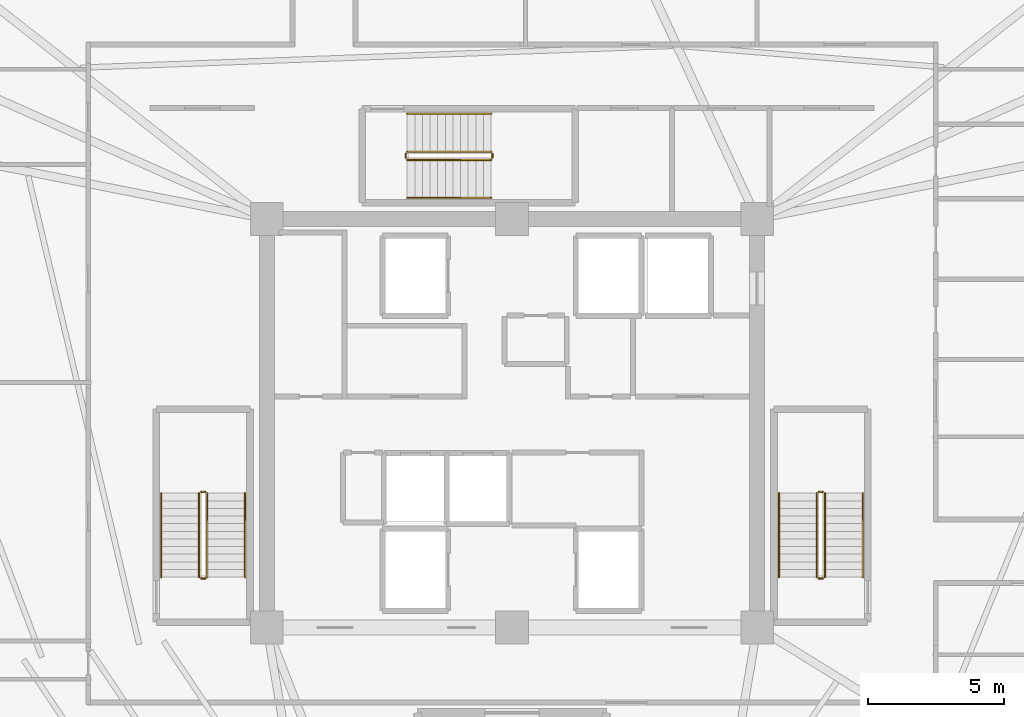
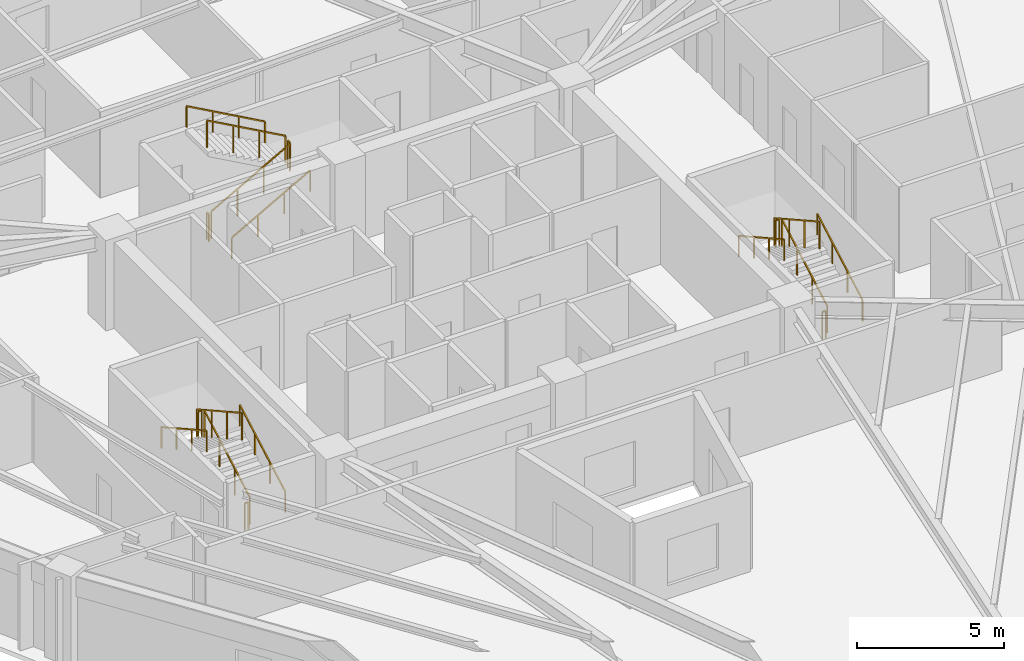
# One storey, part 8 of 8: 18 railings.
"""IFC4 building model written with IfcOpenShell, lengths in metres."""

from ifc_helpers import new_model, si_unit, direction, frame, origin, origin_2d, place, context, subcontext, project, spatial, rectangle, extrude, material, type_object, element, save


model = new_model("IFC4")

# Units and contexts
model_context = context("Model", 3, precision=1e-05, world=origin(), true_north=direction((0.0, 1.0)))
body_context = subcontext(model_context, "Body", "Model", "MODEL_VIEW")
ifc_project = project(units=[si_unit("LENGTHUNIT", "METRE"), si_unit("AREAUNIT", "SQUARE_METRE"), si_unit("VOLUMEUNIT", "CUBIC_METRE"), si_unit("PLANEANGLEUNIT", "RADIAN"), si_unit("MASSUNIT", "GRAM", prefix="KILO")], contexts=[model_context])

# Site, building, storey
site_placement = place(None, origin())
site = spatial("IfcSite", under=ifc_project, at=site_placement, CompositionType="ELEMENT")
building_placement = place(site_placement, origin())
building = spatial("IfcBuilding", under=site, at=building_placement, Name="Liaohun Quay Tower", CompositionType="ELEMENT")
storey_placement = place(building_placement, frame((0.0, 0.0, 305.25)))
storey = spatial("IfcBuildingStorey", under=building, at=storey_placement, Name="L79", CompositionType="ELEMENT", Elevation=305.25)

# Railings
ifc_material_1 = material(Name="Painted tubular steel", Category="steel")
railing_type_1 = type_object("IfcRailingType", Name="RLG-GUARD-STR", PredefinedType="GUARDRAIL", material=ifc_material_1)
railing_1_placement = place(storey_placement, frame((48.81005859375, 48.35009765625, 0.15625)))
element("IfcRailing", 1, at=railing_1_placement, inside=storey, type_object=railing_type_1, Name="L79 ST-1 stair guard 1", PredefinedType="GUARDRAIL", context=body_context, shape_type="SweptSolid", body=[
    extrude(rectangle(XDim=0.048095703125, YDim=0.048095703125, at=origin_2d()), frame((0.0, 0.0, 1.1259765625), z_axis=(0.0, 0.873225103656, 0.487317061414), x_axis=(-1.0, 0.0, 0.0)), (0.0, 0.0, 1.0), 3.52685546875),
    extrude(rectangle(XDim=0.0419921875, YDim=0.0419921875, at=origin_2d()), origin(), (0.0, 0.0, 1.0), 1.101806640625),
    extrude(rectangle(XDim=0.0419921875, YDim=0.0419921875, at=origin_2d()), frame((0.0, 1.026611328125, 0.572998046875)), (0.0, 0.0, 1.0), 1.101806640625),
    extrude(rectangle(XDim=0.0419921875, YDim=0.0419921875, at=origin_2d()), frame((0.0, 2.05322265625, 1.145751953125)), (0.0, 0.0, 1.0), 1.101806640625),
    extrude(rectangle(XDim=0.0419921875, YDim=0.0419921875, at=origin_2d()), frame((0.0, 3.079833984375, 1.71875)), (0.0, 0.0, 1.0), 1.101806640625),
])
railing_2_placement = place(storey_placement, frame((48.72998046875, 51.47998046875, 1.875)))
element("IfcRailing", 2, at=railing_2_placement, inside=storey, type_object=railing_type_1, Name="L79 ST-1 stair guard 2", PredefinedType="GUARDRAIL", context=body_context, shape_type="SweptSolid", body=[
    extrude(rectangle(XDim=0.048095703125, YDim=0.048095703125, at=origin_2d()), frame((0.0, 0.0, 1.1259765625), z_axis=(-1.0, 0.0, 0.0), x_axis=(0.0, -1.0, 0.0)), (0.0, 0.0, 1.0), 0.139892578125),
    extrude(rectangle(XDim=0.0419921875, YDim=0.0419921875, at=origin_2d()), origin(), (0.0, 0.0, 1.0), 1.101806640625),
    extrude(rectangle(XDim=0.0419921875, YDim=0.0419921875, at=origin_2d()), frame((-0.139892578125, 0.0, 0.0)), (0.0, 0.0, 1.0), 1.101806640625),
])
railing_3_placement = place(storey_placement, frame((48.510009765625, 51.429931640625, 2.03125)))
element("IfcRailing", 3, at=railing_3_placement, inside=storey, type_object=railing_type_1, Name="L79 ST-1 stair guard 3", PredefinedType="GUARDRAIL", context=body_context, shape_type="SweptSolid", body=[
    extrude(rectangle(XDim=0.048095703125, YDim=0.048095703125, at=origin_2d()), frame((0.0, 0.0, 1.1259765625), z_axis=(0.0, -0.873225103656, 0.487317061414), x_axis=(1.0, 0.0, 0.0)), (0.0, 0.0, 1.0), 3.52685546875),
    extrude(rectangle(XDim=0.0419921875, YDim=0.0419921875, at=origin_2d()), origin(), (0.0, 0.0, 1.0), 1.101806640625),
    extrude(rectangle(XDim=0.0419921875, YDim=0.0419921875, at=origin_2d()), frame((0.0, -1.026611328125, 0.572998046875)), (0.0, 0.0, 1.0), 1.101806640625),
    extrude(rectangle(XDim=0.0419921875, YDim=0.0419921875, at=origin_2d()), frame((0.0, -2.05322265625, 1.145751953125)), (0.0, 0.0, 1.0), 1.101806640625),
    extrude(rectangle(XDim=0.0419921875, YDim=0.0419921875, at=origin_2d()), frame((0.0, -3.079833984375, 1.71875)), (0.0, 0.0, 1.0), 1.101806640625),
])
railing_4_placement = place(storey_placement, frame((48.72998046875, 48.300048828125, 0.0)))
element("IfcRailing", 4, at=railing_4_placement, inside=storey, type_object=railing_type_1, Name="L79 ST-1 stair guard 4", PredefinedType="GUARDRAIL", context=body_context, shape_type="SweptSolid", body=[
    extrude(rectangle(XDim=0.048095703125, YDim=0.048095703125, at=origin_2d()), frame((0.0, 0.0, 1.1259765625), z_axis=(-1.0, 0.0, 0.0), x_axis=(0.0, -1.0, 0.0)), (0.0, 0.0, 1.0), 0.139892578125),
    extrude(rectangle(XDim=0.0419921875, YDim=0.0419921875, at=origin_2d()), origin(), (0.0, 0.0, 1.0), 1.101806640625),
    extrude(rectangle(XDim=0.0419921875, YDim=0.0419921875, at=origin_2d()), frame((-0.139892578125, 0.0, 0.0)), (0.0, 0.0, 1.0), 1.101806640625),
])
railing_5_placement = place(storey_placement, frame((71.489990234375, 48.35009765625, 0.15625)))
element("IfcRailing", 5, at=railing_5_placement, inside=storey, type_object=railing_type_1, Name="L79 ST-2 stair guard 1", PredefinedType="GUARDRAIL", context=body_context, shape_type="SweptSolid", body=[
    extrude(rectangle(XDim=0.048095703125, YDim=0.048095703125, at=origin_2d()), frame((0.0, 0.0, 1.1259765625), z_axis=(0.0, 0.873225103656, 0.487317061414), x_axis=(-1.0, 0.0, 0.0)), (0.0, 0.0, 1.0), 3.52685546875),
    extrude(rectangle(XDim=0.0419921875, YDim=0.0419921875, at=origin_2d()), origin(), (0.0, 0.0, 1.0), 1.101806640625),
    extrude(rectangle(XDim=0.0419921875, YDim=0.0419921875, at=origin_2d()), frame((0.0, 1.026611328125, 0.572998046875)), (0.0, 0.0, 1.0), 1.101806640625),
    extrude(rectangle(XDim=0.0419921875, YDim=0.0419921875, at=origin_2d()), frame((0.0, 2.05322265625, 1.145751953125)), (0.0, 0.0, 1.0), 1.101806640625),
    extrude(rectangle(XDim=0.0419921875, YDim=0.0419921875, at=origin_2d()), frame((0.0, 3.079833984375, 1.71875)), (0.0, 0.0, 1.0), 1.101806640625),
])
railing_6_placement = place(storey_placement, frame((71.409912109375, 51.47998046875, 1.875)))
element("IfcRailing", 6, at=railing_6_placement, inside=storey, type_object=railing_type_1, Name="L79 ST-2 stair guard 2", PredefinedType="GUARDRAIL", context=body_context, shape_type="SweptSolid", body=[
    extrude(rectangle(XDim=0.048095703125, YDim=0.048095703125, at=origin_2d()), frame((0.0, 0.0, 1.1259765625), z_axis=(-1.0, 0.0, 0.0), x_axis=(0.0, -1.0, 0.0)), (0.0, 0.0, 1.0), 0.139892578125),
    extrude(rectangle(XDim=0.0419921875, YDim=0.0419921875, at=origin_2d()), origin(), (0.0, 0.0, 1.0), 1.101806640625),
    extrude(rectangle(XDim=0.0419921875, YDim=0.0419921875, at=origin_2d()), frame((-0.139892578125, 0.0, 0.0)), (0.0, 0.0, 1.0), 1.101806640625),
])
railing_7_placement = place(storey_placement, frame((71.18994140625, 51.429931640625, 2.03125)))
element("IfcRailing", 7, at=railing_7_placement, inside=storey, type_object=railing_type_1, Name="L79 ST-2 stair guard 3", PredefinedType="GUARDRAIL", context=body_context, shape_type="SweptSolid", body=[
    extrude(rectangle(XDim=0.048095703125, YDim=0.048095703125, at=origin_2d()), frame((0.0, 0.0, 1.1259765625), z_axis=(0.0, -0.873225103656, 0.487317061414), x_axis=(1.0, 0.0, 0.0)), (0.0, 0.0, 1.0), 3.52685546875),
    extrude(rectangle(XDim=0.0419921875, YDim=0.0419921875, at=origin_2d()), origin(), (0.0, 0.0, 1.0), 1.101806640625),
    extrude(rectangle(XDim=0.0419921875, YDim=0.0419921875, at=origin_2d()), frame((0.0, -1.026611328125, 0.572998046875)), (0.0, 0.0, 1.0), 1.101806640625),
    extrude(rectangle(XDim=0.0419921875, YDim=0.0419921875, at=origin_2d()), frame((0.0, -2.05322265625, 1.145751953125)), (0.0, 0.0, 1.0), 1.101806640625),
    extrude(rectangle(XDim=0.0419921875, YDim=0.0419921875, at=origin_2d()), frame((0.0, -3.079833984375, 1.71875)), (0.0, 0.0, 1.0), 1.101806640625),
])
railing_8_placement = place(storey_placement, frame((71.409912109375, 48.300048828125, 0.0)))
element("IfcRailing", 8, at=railing_8_placement, inside=storey, type_object=railing_type_1, Name="L79 ST-2 stair guard 4", PredefinedType="GUARDRAIL", context=body_context, shape_type="SweptSolid", body=[
    extrude(rectangle(XDim=0.048095703125, YDim=0.048095703125, at=origin_2d()), frame((0.0, 0.0, 1.1259765625), z_axis=(-1.0, 0.0, 0.0), x_axis=(0.0, -1.0, 0.0)), (0.0, 0.0, 1.0), 0.139892578125),
    extrude(rectangle(XDim=0.0419921875, YDim=0.0419921875, at=origin_2d()), origin(), (0.0, 0.0, 1.0), 1.101806640625),
    extrude(rectangle(XDim=0.0419921875, YDim=0.0419921875, at=origin_2d()), frame((-0.139892578125, 0.0, 0.0)), (0.0, 0.0, 1.0), 1.101806640625),
])
railing_9_placement = place(storey_placement, frame((56.14990234375, 63.669921875, 0.15625)))
element("IfcRailing", 9, at=railing_9_placement, inside=storey, type_object=railing_type_1, Name="L79 ST-3 stair guard 1", PredefinedType="GUARDRAIL", context=body_context, shape_type="SweptSolid", body=[
    extrude(rectangle(XDim=0.048095703125, YDim=0.048095703125, at=origin_2d()), frame((0.0, 0.0, 1.1259765625), z_axis=(0.873241540666, 0.0, 0.487287606713), x_axis=(0.0, 1.0, 0.0)), (0.0, 0.0, 1.0), 3.527099609375),
    extrude(rectangle(XDim=0.0419921875, YDim=0.0419921875, at=origin_2d()), origin(), (0.0, 0.0, 1.0), 1.101806640625),
    extrude(rectangle(XDim=0.0419921875, YDim=0.0419921875, at=origin_2d()), frame((1.026611328125, 0.0, 0.572998046875)), (0.0, 0.0, 1.0), 1.101806640625),
    extrude(rectangle(XDim=0.0419921875, YDim=0.0419921875, at=origin_2d()), frame((2.053466796875, 0.0, 1.145751953125)), (0.0, 0.0, 1.0), 1.101806640625),
    extrude(rectangle(XDim=0.0419921875, YDim=0.0419921875, at=origin_2d()), frame((3.080078125, 0.0, 1.71875)), (0.0, 0.0, 1.0), 1.101806640625),
])
railing_10_placement = place(storey_placement, frame((59.280029296875, 63.75, 1.875)))
element("IfcRailing", 10, at=railing_10_placement, inside=storey, type_object=railing_type_1, Name="L79 ST-3 stair guard 2", PredefinedType="GUARDRAIL", context=body_context, shape_type="SweptSolid", body=[
    extrude(rectangle(XDim=0.048095703125, YDim=0.048095703125, at=origin_2d()), frame((0.0, 0.0, 1.1259765625), z_axis=(0.0, 1.0, 0.0), x_axis=(-1.0, 0.0, 0.0)), (0.0, 0.0, 1.0), 0.139892578125),
    extrude(rectangle(XDim=0.0419921875, YDim=0.0419921875, at=origin_2d()), origin(), (0.0, 0.0, 1.0), 1.101806640625),
    extrude(rectangle(XDim=0.0419921875, YDim=0.0419921875, at=origin_2d()), frame((0.0, 0.139892578125, 0.0)), (0.0, 0.0, 1.0), 1.101806640625),
])
railing_11_placement = place(storey_placement, frame((59.22998046875, 63.969970703125, 2.03125)))
element("IfcRailing", 11, at=railing_11_placement, inside=storey, type_object=railing_type_1, Name="L79 ST-3 stair guard 3", PredefinedType="GUARDRAIL", context=body_context, shape_type="SweptSolid", body=[
    extrude(rectangle(XDim=0.048095703125, YDim=0.048095703125, at=origin_2d()), frame((0.0, 0.0, 1.1259765625), z_axis=(-0.873241540666, 0.0, 0.487287606713), x_axis=(0.0, -1.0, 0.0)), (0.0, 0.0, 1.0), 3.527099609375),
    extrude(rectangle(XDim=0.0419921875, YDim=0.0419921875, at=origin_2d()), origin(), (0.0, 0.0, 1.0), 1.101806640625),
    extrude(rectangle(XDim=0.0419921875, YDim=0.0419921875, at=origin_2d()), frame((-1.026611328125, 0.0, 0.572998046875)), (0.0, 0.0, 1.0), 1.101806640625),
    extrude(rectangle(XDim=0.0419921875, YDim=0.0419921875, at=origin_2d()), frame((-2.053466796875, 0.0, 1.145751953125)), (0.0, 0.0, 1.0), 1.101806640625),
    extrude(rectangle(XDim=0.0419921875, YDim=0.0419921875, at=origin_2d()), frame((-3.080078125, 0.0, 1.71875)), (0.0, 0.0, 1.0), 1.101806640625),
])
railing_12_placement = place(storey_placement, frame((56.10009765625, 63.75, 0.0)))
element("IfcRailing", 12, at=railing_12_placement, inside=storey, type_object=railing_type_1, Name="L79 ST-3 stair guard 4", PredefinedType="GUARDRAIL", context=body_context, shape_type="SweptSolid", body=[
    extrude(rectangle(XDim=0.048095703125, YDim=0.048095703125, at=origin_2d()), frame((0.0, 0.0, 1.1259765625), z_axis=(0.0, 1.0, 0.0), x_axis=(-1.0, 0.0, 0.0)), (0.0, 0.0, 1.0), 0.139892578125),
    extrude(rectangle(XDim=0.0419921875, YDim=0.0419921875, at=origin_2d()), origin(), (0.0, 0.0, 1.0), 1.101806640625),
    extrude(rectangle(XDim=0.0419921875, YDim=0.0419921875, at=origin_2d()), frame((0.0, 0.139892578125, 0.0)), (0.0, 0.0, 1.0), 1.101806640625),
])
ifc_material_2 = material(Name="Brushed stainless steel", Category="steel")
railing_type_2 = type_object("IfcRailingType", Name="RLG-HND-STR", PredefinedType="HANDRAIL", material=ifc_material_2)
railing_13_placement = place(storey_placement, frame((50.199951171875, 48.35009765625, 0.15625)))
element("IfcRailing", 13, at=railing_13_placement, inside=storey, type_object=railing_type_2, Name="L79 ST-1 stair handrail 1", PredefinedType="HANDRAIL", context=body_context, shape_type="SweptSolid", body=[
    extrude(rectangle(XDim=0.048095703125, YDim=0.048095703125, at=origin_2d()), frame((0.0, 0.0, 0.8759765625), z_axis=(0.0, 0.873225103656, 0.487317061414), x_axis=(-1.0, 0.0, 0.0)), (0.0, 0.0, 1.0), 3.52685546875),
    extrude(rectangle(XDim=0.0419921875, YDim=0.0419921875, at=origin_2d()), origin(), (0.0, 0.0, 1.0), 0.851806640625),
    extrude(rectangle(XDim=0.0419921875, YDim=0.0419921875, at=origin_2d()), frame((0.0, 1.026611328125, 0.572998046875)), (0.0, 0.0, 1.0), 0.851806640625),
    extrude(rectangle(XDim=0.0419921875, YDim=0.0419921875, at=origin_2d()), frame((0.0, 2.05322265625, 1.145751953125)), (0.0, 0.0, 1.0), 0.851806640625),
    extrude(rectangle(XDim=0.0419921875, YDim=0.0419921875, at=origin_2d()), frame((0.0, 3.079833984375, 1.71875)), (0.0, 0.0, 1.0), 0.851806640625),
])
railing_14_placement = place(storey_placement, frame((47.1201171875, 51.429931640625, 2.03125)))
element("IfcRailing", 14, at=railing_14_placement, inside=storey, type_object=railing_type_2, Name="L79 ST-1 stair handrail 2", PredefinedType="HANDRAIL", context=body_context, shape_type="SweptSolid", body=[
    extrude(rectangle(XDim=0.048095703125, YDim=0.048095703125, at=origin_2d()), frame((0.0, 0.0, 0.8759765625), z_axis=(0.0, -0.873225103656, 0.487317061414), x_axis=(1.0, 0.0, 0.0)), (0.0, 0.0, 1.0), 3.52685546875),
    extrude(rectangle(XDim=0.0419921875, YDim=0.0419921875, at=origin_2d()), origin(), (0.0, 0.0, 1.0), 0.851806640625),
    extrude(rectangle(XDim=0.0419921875, YDim=0.0419921875, at=origin_2d()), frame((0.0, -1.026611328125, 0.572998046875)), (0.0, 0.0, 1.0), 0.851806640625),
    extrude(rectangle(XDim=0.0419921875, YDim=0.0419921875, at=origin_2d()), frame((0.0, -2.05322265625, 1.145751953125)), (0.0, 0.0, 1.0), 0.851806640625),
    extrude(rectangle(XDim=0.0419921875, YDim=0.0419921875, at=origin_2d()), frame((0.0, -3.079833984375, 1.71875)), (0.0, 0.0, 1.0), 0.851806640625),
])
railing_15_placement = place(storey_placement, frame((72.8798828125, 48.35009765625, 0.15625)))
element("IfcRailing", 15, at=railing_15_placement, inside=storey, type_object=railing_type_2, Name="L79 ST-2 stair handrail 1", PredefinedType="HANDRAIL", context=body_context, shape_type="SweptSolid", body=[
    extrude(rectangle(XDim=0.048095703125, YDim=0.048095703125, at=origin_2d()), frame((0.0, 0.0, 0.8759765625), z_axis=(0.0, 0.873225103656, 0.487317061414), x_axis=(-1.0, 0.0, 0.0)), (0.0, 0.0, 1.0), 3.52685546875),
    extrude(rectangle(XDim=0.0419921875, YDim=0.0419921875, at=origin_2d()), origin(), (0.0, 0.0, 1.0), 0.851806640625),
    extrude(rectangle(XDim=0.0419921875, YDim=0.0419921875, at=origin_2d()), frame((0.0, 1.026611328125, 0.572998046875)), (0.0, 0.0, 1.0), 0.851806640625),
    extrude(rectangle(XDim=0.0419921875, YDim=0.0419921875, at=origin_2d()), frame((0.0, 2.05322265625, 1.145751953125)), (0.0, 0.0, 1.0), 0.851806640625),
    extrude(rectangle(XDim=0.0419921875, YDim=0.0419921875, at=origin_2d()), frame((0.0, 3.079833984375, 1.71875)), (0.0, 0.0, 1.0), 0.851806640625),
])
railing_16_placement = place(storey_placement, frame((69.800048828125, 51.429931640625, 2.03125)))
element("IfcRailing", 16, at=railing_16_placement, inside=storey, type_object=railing_type_2, Name="L79 ST-2 stair handrail 2", PredefinedType="HANDRAIL", context=body_context, shape_type="SweptSolid", body=[
    extrude(rectangle(XDim=0.048095703125, YDim=0.048095703125, at=origin_2d()), frame((0.0, 0.0, 0.8759765625), z_axis=(0.0, -0.873225103656, 0.487317061414), x_axis=(1.0, 0.0, 0.0)), (0.0, 0.0, 1.0), 3.52685546875),
    extrude(rectangle(XDim=0.0419921875, YDim=0.0419921875, at=origin_2d()), origin(), (0.0, 0.0, 1.0), 0.851806640625),
    extrude(rectangle(XDim=0.0419921875, YDim=0.0419921875, at=origin_2d()), frame((0.0, -1.026611328125, 0.572998046875)), (0.0, 0.0, 1.0), 0.851806640625),
    extrude(rectangle(XDim=0.0419921875, YDim=0.0419921875, at=origin_2d()), frame((0.0, -2.05322265625, 1.145751953125)), (0.0, 0.0, 1.0), 0.851806640625),
    extrude(rectangle(XDim=0.0419921875, YDim=0.0419921875, at=origin_2d()), frame((0.0, -3.079833984375, 1.71875)), (0.0, 0.0, 1.0), 0.851806640625),
])
railing_17_placement = place(storey_placement, frame((56.14990234375, 62.280029296875, 0.15625)))
element("IfcRailing", 17, at=railing_17_placement, inside=storey, type_object=railing_type_2, Name="L79 ST-3 stair handrail 1", PredefinedType="HANDRAIL", context=body_context, shape_type="SweptSolid", body=[
    extrude(rectangle(XDim=0.048095703125, YDim=0.048095703125, at=origin_2d()), frame((0.0, 0.0, 0.8759765625), z_axis=(0.873241540666, 0.0, 0.487287606713), x_axis=(0.0, 1.0, 0.0)), (0.0, 0.0, 1.0), 3.527099609375),
    extrude(rectangle(XDim=0.0419921875, YDim=0.0419921875, at=origin_2d()), origin(), (0.0, 0.0, 1.0), 0.851806640625),
    extrude(rectangle(XDim=0.0419921875, YDim=0.0419921875, at=origin_2d()), frame((1.026611328125, 0.0, 0.572998046875)), (0.0, 0.0, 1.0), 0.851806640625),
    extrude(rectangle(XDim=0.0419921875, YDim=0.0419921875, at=origin_2d()), frame((2.053466796875, 0.0, 1.145751953125)), (0.0, 0.0, 1.0), 0.851806640625),
    extrude(rectangle(XDim=0.0419921875, YDim=0.0419921875, at=origin_2d()), frame((3.080078125, 0.0, 1.71875)), (0.0, 0.0, 1.0), 0.851806640625),
])
railing_18_placement = place(storey_placement, frame((59.22998046875, 65.360107421875, 2.03125)))
element("IfcRailing", 18, at=railing_18_placement, inside=storey, type_object=railing_type_2, Name="L79 ST-3 stair handrail 2", PredefinedType="HANDRAIL", context=body_context, shape_type="SweptSolid", body=[
    extrude(rectangle(XDim=0.048095703125, YDim=0.048095703125, at=origin_2d()), frame((0.0, 0.0, 0.8759765625), z_axis=(-0.873241540666, 0.0, 0.487287606713), x_axis=(0.0, -1.0, 0.0)), (0.0, 0.0, 1.0), 3.527099609375),
    extrude(rectangle(XDim=0.0419921875, YDim=0.0419921875, at=origin_2d()), origin(), (0.0, 0.0, 1.0), 0.851806640625),
    extrude(rectangle(XDim=0.0419921875, YDim=0.0419921875, at=origin_2d()), frame((-1.026611328125, 0.0, 0.572998046875)), (0.0, 0.0, 1.0), 0.851806640625),
    extrude(rectangle(XDim=0.0419921875, YDim=0.0419921875, at=origin_2d()), frame((-2.053466796875, 0.0, 1.145751953125)), (0.0, 0.0, 1.0), 0.851806640625),
    extrude(rectangle(XDim=0.0419921875, YDim=0.0419921875, at=origin_2d()), frame((-3.080078125, 0.0, 1.71875)), (0.0, 0.0, 1.0), 0.851806640625),
])

save(model, "model.ifc")
